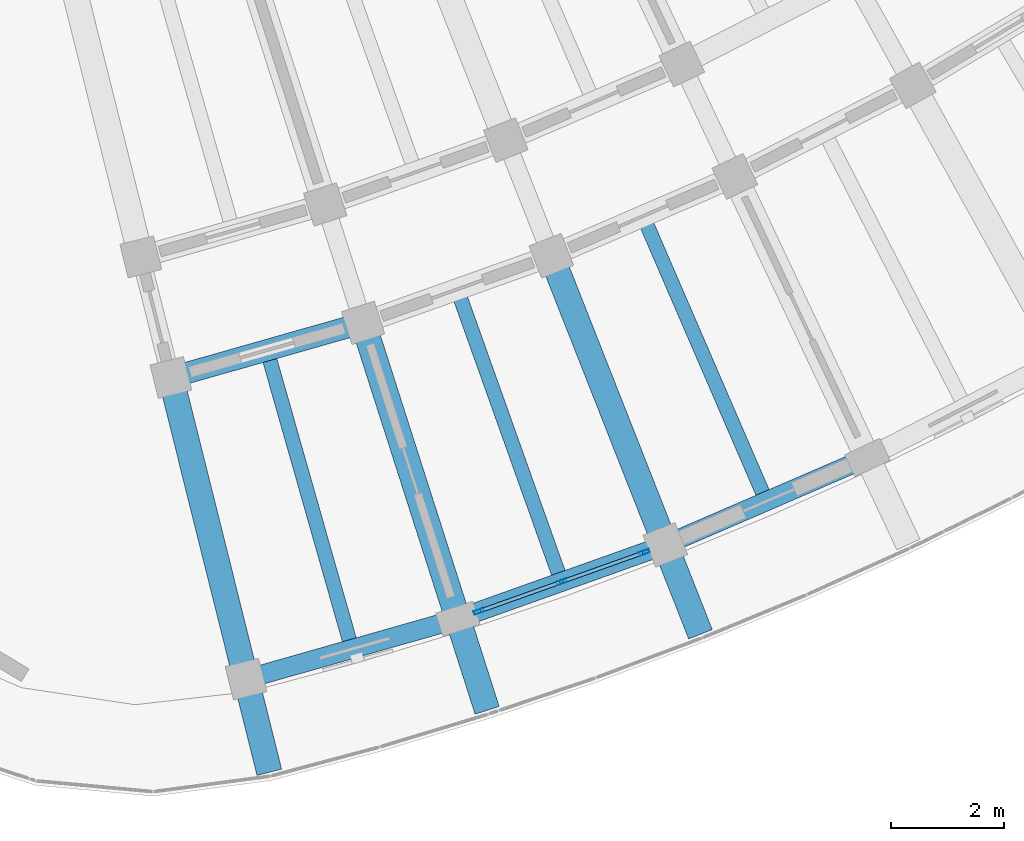
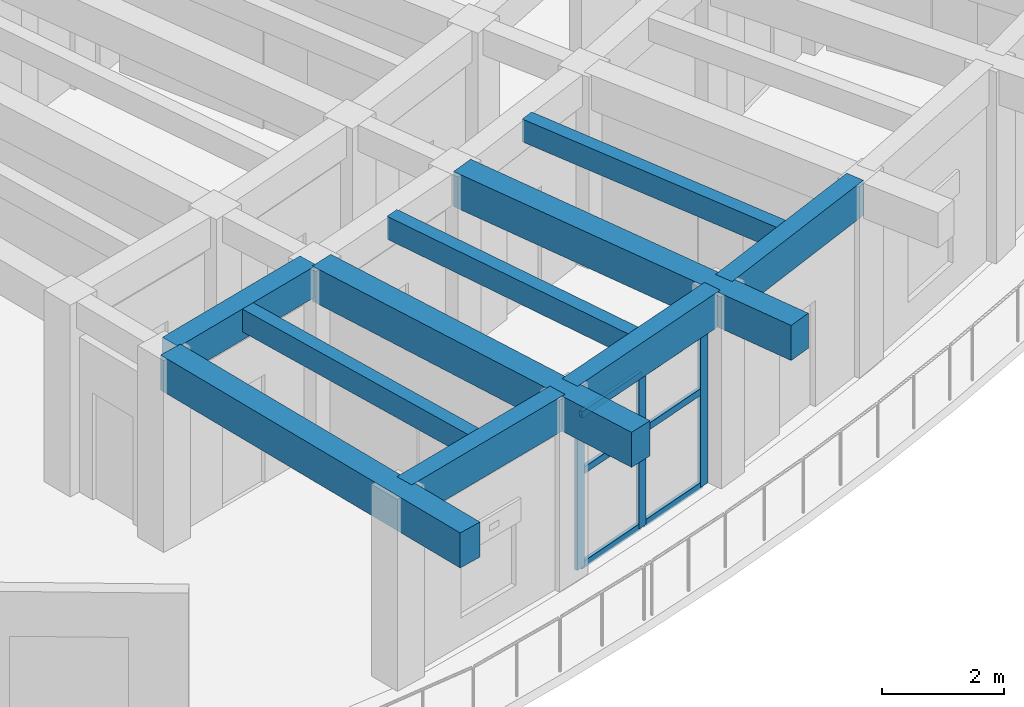
# One storey, part 55 of 128: 10 beams, 9 members, 1 element without a shape of its own.
"""IFC4 building model written with IfcOpenShell, lengths in metres."""

from ifc_helpers import new_model, si_unit, direction, frame, origin, origin_2d, place, context, subcontext, project, spatial, rectangle, hollow_rectangle, extrude, material, material_profile, profile_set, type_object, element, aggregate, save


model = new_model("IFC4")

# Units and contexts
model_context = context("Model", 3, precision=1e-05, world=origin(), true_north=direction((0.0, 1.0)))
body_context = subcontext(model_context, "Body", "Model", "MODEL_VIEW")
ifc_project = project(units=[si_unit("LENGTHUNIT", "METRE"), si_unit("AREAUNIT", "SQUARE_METRE"), si_unit("VOLUMEUNIT", "CUBIC_METRE"), si_unit("PLANEANGLEUNIT", "RADIAN"), si_unit("MASSUNIT", "GRAM", prefix="KILO")], contexts=[model_context])

# Site, building, storey
site_placement = place(None, origin())
site = spatial("IfcSite", under=ifc_project, at=site_placement, CompositionType="ELEMENT")
building_placement = place(site_placement, origin())
building = spatial("IfcBuilding", under=site, at=building_placement, Name="Tanwirah Colonnade Gardens", CompositionType="ELEMENT")
storey_placement = place(building_placement, frame((0.0, 0.0, 4.760009765625)))
storey = spatial("IfcBuildingStorey", under=building, at=storey_placement, Name="L01", CompositionType="ELEMENT", Elevation=4.760009765625)

# Beams
ifc_material_1 = material(Name="Precast concrete C40/50", Category="concrete")
ifc_material_profile_1 = material_profile(ifc_material_1, rectangle(XDim=0.3798828125, YDim=0.6201171875, at=origin_2d()), Name="PC-BM 380x620")
ifc_profile_set_1 = profile_set([ifc_material_profile_1], Name="Precast concrete C40/50")
beam_type_1 = type_object("IfcBeamType", Name="BM-PC380", PredefinedType="BEAM", material=ifc_profile_set_1)
beam_1_placement = place(storey_placement, frame((134.22021484375, 12.096435546875, 3.514892578125), z_axis=(0.96185623635, 0.273555443366, 0.0), x_axis=(-0.273555443366, 0.96185623635, 0.0)))
element("IfcBeam", 1, at=beam_1_placement, inside=storey, type_object=beam_type_1, Name="Block D L01 Circumferential Beam 0-R2", PredefinedType="BEAM", context=body_context, shape_type="SweptSolid", body=[
    extrude(rectangle(XDim=0.3798828125, YDim=0.6201171875, at=origin_2d()), origin(), (0.0, 0.0, 1.0), 3.237060546875),
])
ifc_material_2 = material(Name="Precast concrete C45/55", Category="concrete")
ifc_material_profile_2 = material_profile(ifc_material_2, rectangle(XDim=0.449951171875, YDim=0.699951171875, at=origin_2d()), Name="PC-BM 450x700")
ifc_profile_set_2 = profile_set([ifc_material_profile_2], Name="Precast concrete C45/55")
beam_type_2 = type_object("IfcBeamType", Name="BM-PC450", PredefinedType="BEAM", material=ifc_profile_set_2)
for number, where, z_axis, x_axis, name in (
    (2, (134.112060546875, 11.909912109375, 3.47509765625), (0.241924461086, -0.970295086625, 0.0), (0.970295086625, 0.241924461086, 0.0), "Block D L01 Outer Radial Precast Girder 0"),
    (3, (137.523681640625, 12.880126953125, 3.47509765625), (0.304849862001, -0.952400420851, 0.0), (0.952400420851, 0.304849862001, 0.0), "Block D L01 Outer Radial Precast Girder 1"),
    (4, (140.8642578125, 14.0712890625, 3.47509765625), (0.366525426804, -0.930408034953, 0.0), (0.930408034953, 0.366525426804, 0.0), "Block D L01 Outer Radial Precast Girder 2"),
):
    element("IfcBeam", number, at=place(storey_placement, frame(where, z_axis=z_axis, x_axis=x_axis)), inside=storey, type_object=beam_type_2, Name=name, PredefinedType="BEAM", context=body_context, shape_type="SweptSolid", body=[
        extrude(rectangle(XDim=0.449951171875, YDim=0.699951171875, at=origin_2d()), origin(), (0.0, 0.0, 1.0), 7.050048828125),
    ])

# Curtain wall, members
ifc_material_3 = material(Name="Bronze-anodised aluminium and solar-control low-E glass", Category="aluminium")
curtain_wall_type = type_object("IfcCurtainWallType", Name="CW-LOB", PredefinedType="NOTDEFINED", material=ifc_material_3)
curtain_wall_placement = place(storey_placement, origin())
curtain_wall = element("IfcCurtainWall", 5, at=curtain_wall_placement, inside=storey, type_object=curtain_wall_type, Name="Curtain Wall CW-D-L01-OUT-01", PredefinedType="NOTDEFINED")
ifc_material_4 = material(Name="Bronze-anodised aluminium", Category="aluminium")
ifc_material_profile_3 = material_profile(ifc_material_4, hollow_rectangle(XDim=0.06494140625, YDim=0.179931640625, WallThickness=0.00390625, at=origin_2d()), Name="CW-MUL 65x180x4")
ifc_profile_set_3 = profile_set([ifc_material_profile_3], Name="Bronze-anodised aluminium")
member_type_1 = type_object("IfcMemberType", Name="CWM-65x180", PredefinedType="MULLION", material=ifc_profile_set_3)
member_1_placement = place(storey_placement, frame((139.5244140625, 7.916748046875, 0.0), z_axis=(0.0, 0.0, 1.0), x_axis=(-0.335862164333, 0.941911145793, 0.0)))
member_1 = element("IfcMember", 6, at=member_1_placement, type_object=member_type_1, Name="CW-LOB mullion 1", PredefinedType="MULLION", context=body_context, shape_type="SweptSolid", body=[
    extrude(hollow_rectangle(XDim=0.06494140625, YDim=0.179931640625, WallThickness=0.00390625, at=origin_2d()), origin(), (0.0, 0.0, 1.0), 3.074951171875),
])
member_2_placement = place(storey_placement, frame((140.989990234375, 8.439208984375, 0.0), z_axis=(0.0, 0.0, 1.0), x_axis=(-0.335862164333, 0.941911145793, 0.0)))
member_2 = element("IfcMember", 7, at=member_2_placement, type_object=member_type_1, Name="CW-LOB mullion 2", PredefinedType="MULLION", context=body_context, shape_type="SweptSolid", body=[
    extrude(hollow_rectangle(XDim=0.06494140625, YDim=0.179931640625, WallThickness=0.00390625, at=origin_2d()), origin(), (0.0, 0.0, 1.0), 3.074951171875),
])
member_3_placement = place(storey_placement, frame((142.45556640625, 8.9619140625, 0.0), z_axis=(0.0, 0.0, 1.0), x_axis=(-0.335862164333, 0.941911145793, 0.0)))
member_3 = element("IfcMember", 8, at=member_3_placement, type_object=member_type_1, Name="CW-LOB mullion 3", PredefinedType="MULLION", context=body_context, shape_type="SweptSolid", body=[
    extrude(hollow_rectangle(XDim=0.06494140625, YDim=0.179931640625, WallThickness=0.00390625, at=origin_2d()), origin(), (0.0, 0.0, 1.0), 3.074951171875),
])
ifc_material_profile_4 = material_profile(ifc_material_4, hollow_rectangle(XDim=0.06494140625, YDim=0.135009765625, WallThickness=0.00390625, at=origin_2d()), Name="CW-TRN 65x135x4")
ifc_profile_set_4 = profile_set([ifc_material_profile_4], Name="Bronze-anodised aluminium")
member_type_2 = type_object("IfcMemberType", Name="CWT-65x135", PredefinedType="USERDEFINED", material=ifc_profile_set_4)
member_4_placement = place(storey_placement, frame((139.554931640625, 7.927490234375, 0.032470703125), z_axis=(0.941912213271, 0.335859170622, 0.0), x_axis=(-0.335859170622, 0.941912213271, 0.0)))
member_4 = element("IfcMember", 9, at=member_4_placement, type_object=member_type_2, Name="CW-LOB transom 1.1", ObjectType="TRANSOM", PredefinedType="USERDEFINED", context=body_context, shape_type="SweptSolid", body=[
    extrude(hollow_rectangle(XDim=0.06494140625, YDim=0.135009765625, WallThickness=0.00390625, at=origin_2d()), origin(), (0.0, 0.0, 1.0), 1.490966796875),
])
member_5_placement = place(storey_placement, frame((139.554931640625, 7.927490234375, 1.906494140625), z_axis=(0.941912213271, 0.335859170622, 0.0), x_axis=(-0.335859170622, 0.941912213271, 0.0)))
member_5 = element("IfcMember", 10, at=member_5_placement, type_object=member_type_2, Name="CW-LOB transom 1.2", ObjectType="TRANSOM", PredefinedType="USERDEFINED", context=body_context, shape_type="SweptSolid", body=[
    extrude(hollow_rectangle(XDim=0.06494140625, YDim=0.135009765625, WallThickness=0.00390625, at=origin_2d()), origin(), (0.0, 0.0, 1.0), 1.490966796875),
])
member_6_placement = place(storey_placement, frame((139.554931640625, 7.927490234375, 3.04248046875), z_axis=(0.941912213271, 0.335859170622, 0.0), x_axis=(-0.335859170622, 0.941912213271, 0.0)))
member_6 = element("IfcMember", 11, at=member_6_placement, type_object=member_type_2, Name="CW-LOB transom 1.3", ObjectType="TRANSOM", PredefinedType="USERDEFINED", context=body_context, shape_type="SweptSolid", body=[
    extrude(hollow_rectangle(XDim=0.06494140625, YDim=0.135009765625, WallThickness=0.00390625, at=origin_2d()), origin(), (0.0, 0.0, 1.0), 1.490966796875),
])
member_7_placement = place(storey_placement, frame((141.0205078125, 8.4501953125, 0.032470703125), z_axis=(0.941912213271, 0.335859170622, 0.0), x_axis=(-0.335859170622, 0.941912213271, 0.0)))
member_7 = element("IfcMember", 12, at=member_7_placement, type_object=member_type_2, Name="CW-LOB transom 2.1", ObjectType="TRANSOM", PredefinedType="USERDEFINED", context=body_context, shape_type="SweptSolid", body=[
    extrude(hollow_rectangle(XDim=0.06494140625, YDim=0.135009765625, WallThickness=0.00390625, at=origin_2d()), origin(), (0.0, 0.0, 1.0), 1.490966796875),
])
member_8_placement = place(storey_placement, frame((141.0205078125, 8.4501953125, 1.906494140625), z_axis=(0.941912213271, 0.335859170622, 0.0), x_axis=(-0.335859170622, 0.941912213271, 0.0)))
member_8 = element("IfcMember", 13, at=member_8_placement, type_object=member_type_2, Name="CW-LOB transom 2.2", ObjectType="TRANSOM", PredefinedType="USERDEFINED", context=body_context, shape_type="SweptSolid", body=[
    extrude(hollow_rectangle(XDim=0.06494140625, YDim=0.135009765625, WallThickness=0.00390625, at=origin_2d()), origin(), (0.0, 0.0, 1.0), 1.490966796875),
])
member_9_placement = place(storey_placement, frame((141.0205078125, 8.4501953125, 3.04248046875), z_axis=(0.941912213271, 0.335859170622, 0.0), x_axis=(-0.335859170622, 0.941912213271, 0.0)))
member_9 = element("IfcMember", 14, at=member_9_placement, type_object=member_type_2, Name="CW-LOB transom 2.3", ObjectType="TRANSOM", PredefinedType="USERDEFINED", context=body_context, shape_type="SweptSolid", body=[
    extrude(hollow_rectangle(XDim=0.06494140625, YDim=0.135009765625, WallThickness=0.00390625, at=origin_2d()), origin(), (0.0, 0.0, 1.0), 1.490966796875),
])
aggregate(curtain_wall, [member_1, member_2, member_3, member_4, member_5, member_6, member_7, member_8, member_9])

# Beams
ifc_material_profile_5 = material_profile(ifc_material_1, rectangle(XDim=0.2548828125, YDim=0.455078125, at=origin_2d()), Name="PC-JST 255x455")
ifc_profile_set_5 = profile_set([ifc_material_profile_5], Name="Precast concrete C40/50")
beam_type_3 = type_object("IfcBeamType", Name="JST-PC240", PredefinedType="JOIST", material=ifc_profile_set_5)
for number, where, z_axis, x_axis, name in (
    (15, (135.817626953125, 12.39599609375, 3.597412109375), (0.27352550206, -0.961864751263, 0.0), (0.961864751263, 0.27352550206, 0.0), "Block D L01 Precast Floor Joist 0"),
    (16, (139.193603515625, 13.4765625, 3.597412109375), (0.335862957845, -0.941910862846, 0.0), (0.941910862846, 0.335862957845, 0.0), "Block D L01 Precast Floor Joist 1"),
    (17, (142.49169921875, 14.77587890625, 3.597412109375), (0.396746282, -0.917928312952, 0.0), (0.917928312952, 0.396746282, 0.0), "Block D L01 Precast Floor Joist 2"),
):
    element("IfcBeam", number, at=place(storey_placement, frame(where, z_axis=z_axis, x_axis=x_axis)), inside=storey, type_object=beam_type_3, Name=name, PredefinedType="JOIST", context=body_context, shape_type="SweptSolid", body=[
        extrude(rectangle(XDim=0.2548828125, YDim=0.455078125, at=origin_2d()), origin(), (0.0, 0.0, 1.0), 5.260009765625),
    ])
ifc_material_profile_6 = material_profile(ifc_material_2, rectangle(XDim=0.340087890625, YDim=0.699951171875, at=origin_2d()), Name="PC-SP 340x700")
ifc_profile_set_6 = profile_set([ifc_material_profile_6], Name="Precast concrete C45/55")
beam_type_4 = type_object("IfcBeamType", Name="SP-PC340", PredefinedType="SPANDREL", material=ifc_profile_set_6)
for number, where, z_axis, x_axis, name in (
    (18, (135.55078125, 6.760009765625, 3.47509765625), (0.96186131547, 0.273537583893, 0.0), (-0.273537583893, 0.96186131547, 0.0), "Block D L01 Circumferential Beam 0-R3"),
    (19, (139.2958984375, 7.835205078125, 3.47509765625), (0.941915315404, 0.335850470607, 0.0), (-0.335850470607, 0.941915315404, 0.0), "Block D L01 Circumferential Beam 1-R3"),
):
    element("IfcBeam", number, at=place(storey_placement, frame(where, z_axis=z_axis, x_axis=x_axis)), inside=storey, type_object=beam_type_4, Name=name, PredefinedType="SPANDREL", context=body_context, shape_type="SweptSolid", body=[
        extrude(rectangle(XDim=0.340087890625, YDim=0.699951171875, at=origin_2d()), origin(), (0.0, 0.0, 1.0), 3.596923828125),
    ])
beam_2_placement = place(storey_placement, frame((142.962890625, 9.153076171875, 3.47509765625), z_axis=(0.917925861765, 0.396751953118, 0.0), x_axis=(-0.396751953118, 0.917925861765, 0.0)))
element("IfcBeam", 20, at=beam_2_placement, inside=storey, type_object=beam_type_4, Name="Block D L01 Circumferential Beam 2-R3", PredefinedType="SPANDREL", context=body_context, shape_type="SweptSolid", body=[
    extrude(rectangle(XDim=0.340087890625, YDim=0.699951171875, at=origin_2d()), origin(), (0.0, 0.0, 1.0), 3.5966796875),
])

save(model, "model.ifc")
